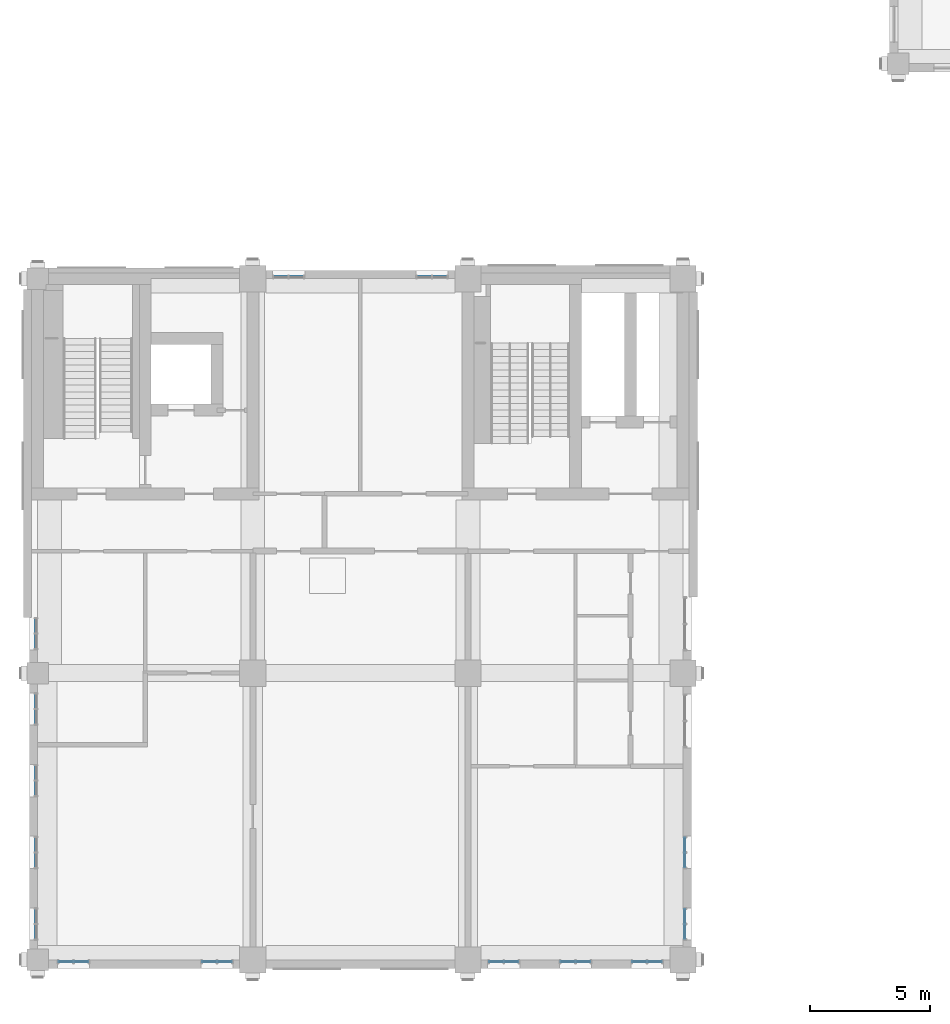
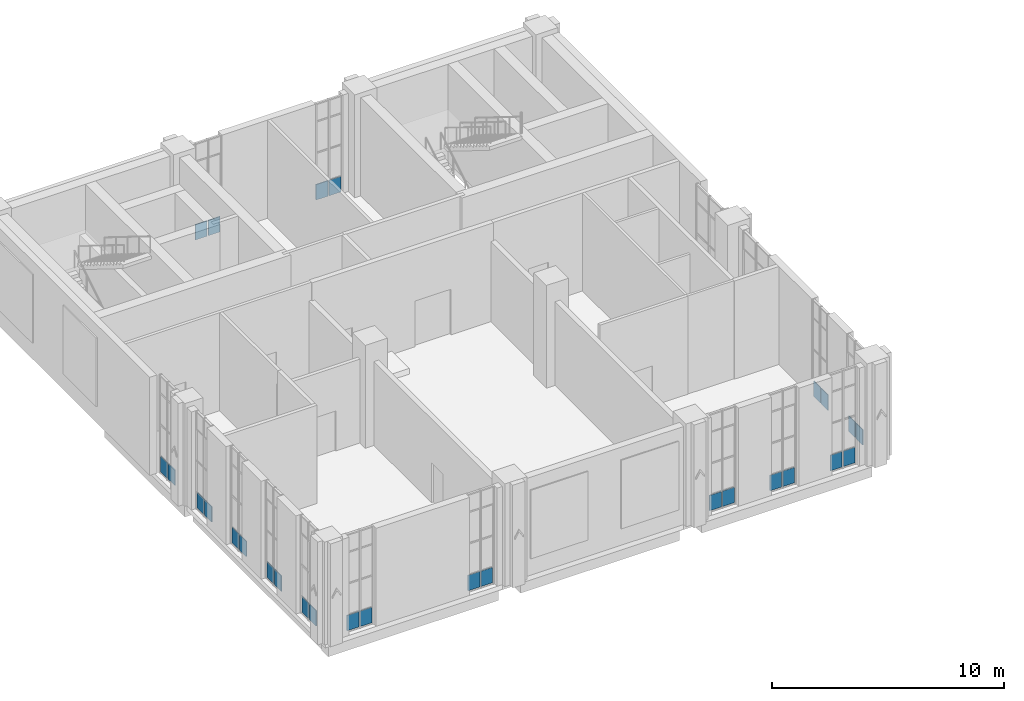
# One storey, part 23 of 39: 28 plates, 14 elements without a shape of their own.
"""IFC4 building model written with IfcOpenShell, lengths in metres."""

from ifc_helpers import new_model, si_unit, direction, frame, origin, origin_2d, place, context, subcontext, project, spatial, rectangle, extrude, material, layer, layer_set, type_object, element, aggregate, save


model = new_model("IFC4")

# Units and contexts
model_context = context("Model", 3, precision=1e-05, world=origin(), true_north=direction((0.0, 1.0)))
body_context = subcontext(model_context, "Body", "Model", "MODEL_VIEW")
ifc_project = project(units=[si_unit("LENGTHUNIT", "METRE"), si_unit("AREAUNIT", "SQUARE_METRE"), si_unit("VOLUMEUNIT", "CUBIC_METRE"), si_unit("PLANEANGLEUNIT", "RADIAN"), si_unit("MASSUNIT", "GRAM", prefix="KILO")], contexts=[model_context])

# Site, building, storey
site_placement = place(None, origin())
site = spatial("IfcSite", under=ifc_project, at=site_placement, CompositionType="ELEMENT")
building_placement = place(site_placement, origin())
building = spatial("IfcBuilding", under=site, at=building_placement, Name="Aurelan Courthouse", CompositionType="ELEMENT")
storey_placement = place(building_placement, frame((0.0, 0.0, 28.199951171875)))
storey = spatial("IfcBuildingStorey", under=building, at=storey_placement, Name="L05", CompositionType="ELEMENT", Elevation=28.199951171875)

# Curtain wall, plates
ifc_material_1 = material(Name="Bronze-finished aluminium and glass", Category="aluminium")
ifc_layer_1 = layer(ifc_material_1, 0.14990234375)
ifc_layer_set_1 = layer_set([ifc_layer_1], Name="Bronze-finished aluminium and glass")
curtain_wall_type = type_object("IfcCurtainWallType", Name="Curtain wall 1350 x 5150", PredefinedType="NOTDEFINED", material=ifc_layer_set_1)
curtain_wall_1_placement = place(storey_placement, origin())
curtain_wall_1 = element("IfcCurtainWall", 1, at=curtain_wall_1_placement, inside=storey, type_object=curtain_wall_type, Name="Curtain wall CW-V5-L05-S01", PredefinedType="NOTDEFINED")
ifc_material_2 = material(Name="Bronze-finished aluminium", Category="aluminium")
ifc_layer_2 = layer(ifc_material_2, 0.0400390625)
ifc_layer_set_2 = layer_set([ifc_layer_2], Name="Bronze-finished aluminium")
plate_type = type_object("IfcPlateType", Name="Sill panel 40", PredefinedType="CURTAIN_PANEL", material=ifc_layer_set_2)
plate_1_placement = place(storey_placement, frame((1.177490234375, -0.074951171875, 0.06005859375), z_axis=(0.0, 0.0, 1.0), x_axis=(1.0, 0.0, 0.0)))
plate_1 = element("IfcPlate", 2, at=plate_1_placement, type_object=plate_type, Name="CW-V5-L05-S01 sill panel 1.1", PredefinedType="CURTAIN_PANEL", context=body_context, shape_type="SweptSolid", body=[
    extrude(rectangle(XDim=0.5849609375, YDim=0.0400390625, at=origin_2d()), origin(), (0.0, 0.0, 1.0), 0.81005859375),
])
plate_2_placement = place(storey_placement, frame((1.822509765625, -0.074951171875, 0.06005859375), z_axis=(0.0, 0.0, 1.0), x_axis=(1.0, 0.0, 0.0)))
plate_2 = element("IfcPlate", 3, at=plate_2_placement, type_object=plate_type, Name="CW-V5-L05-S01 sill panel 2.1", PredefinedType="CURTAIN_PANEL", context=body_context, shape_type="SweptSolid", body=[
    extrude(rectangle(XDim=0.5849609375, YDim=0.0400390625, at=origin_2d()), origin(), (0.0, 0.0, 1.0), 0.81005859375),
])
aggregate(curtain_wall_1, [plate_1, plate_2])

curtain_wall_2_placement = place(storey_placement, origin())
curtain_wall_2 = element("IfcCurtainWall", 4, at=curtain_wall_2_placement, inside=storey, type_object=curtain_wall_type, Name="Curtain wall CW-V5-L05-S02", PredefinedType="NOTDEFINED")
plate_3_placement = place(storey_placement, frame((7.177490234375, -0.074951171875, 0.06005859375), z_axis=(0.0, 0.0, 1.0), x_axis=(1.0, 0.0, 0.0)))
plate_3 = element("IfcPlate", 5, at=plate_3_placement, type_object=plate_type, Name="CW-V5-L05-S02 sill panel 1.1", PredefinedType="CURTAIN_PANEL", context=body_context, shape_type="SweptSolid", body=[
    extrude(rectangle(XDim=0.5849609375, YDim=0.0400390625, at=origin_2d()), origin(), (0.0, 0.0, 1.0), 0.81005859375),
])
plate_4_placement = place(storey_placement, frame((7.822509765625, -0.074951171875, 0.06005859375), z_axis=(0.0, 0.0, 1.0), x_axis=(1.0, 0.0, 0.0)))
plate_4 = element("IfcPlate", 6, at=plate_4_placement, type_object=plate_type, Name="CW-V5-L05-S02 sill panel 2.1", PredefinedType="CURTAIN_PANEL", context=body_context, shape_type="SweptSolid", body=[
    extrude(rectangle(XDim=0.5849609375, YDim=0.0400390625, at=origin_2d()), origin(), (0.0, 0.0, 1.0), 0.81005859375),
])
aggregate(curtain_wall_2, [plate_3, plate_4])

curtain_wall_3_placement = place(storey_placement, origin())
curtain_wall_3 = element("IfcCurtainWall", 7, at=curtain_wall_3_placement, inside=storey, type_object=curtain_wall_type, Name="Curtain wall CW-V5-L05-S03", PredefinedType="NOTDEFINED")
plate_5_placement = place(storey_placement, frame((19.177490234375, -0.074951171875, 0.06005859375), z_axis=(0.0, 0.0, 1.0), x_axis=(1.0, 0.0, 0.0)))
plate_5 = element("IfcPlate", 8, at=plate_5_placement, type_object=plate_type, Name="CW-V5-L05-S03 sill panel 1.1", PredefinedType="CURTAIN_PANEL", context=body_context, shape_type="SweptSolid", body=[
    extrude(rectangle(XDim=0.5849609375, YDim=0.0400390625, at=origin_2d()), origin(), (0.0, 0.0, 1.0), 0.81005859375),
])
plate_6_placement = place(storey_placement, frame((19.822509765625, -0.074951171875, 0.06005859375), z_axis=(0.0, 0.0, 1.0), x_axis=(1.0, 0.0, 0.0)))
plate_6 = element("IfcPlate", 9, at=plate_6_placement, type_object=plate_type, Name="CW-V5-L05-S03 sill panel 2.1", PredefinedType="CURTAIN_PANEL", context=body_context, shape_type="SweptSolid", body=[
    extrude(rectangle(XDim=0.5849609375, YDim=0.0400390625, at=origin_2d()), origin(), (0.0, 0.0, 1.0), 0.81005859375),
])
aggregate(curtain_wall_3, [plate_5, plate_6])

curtain_wall_4_placement = place(storey_placement, origin())
curtain_wall_4 = element("IfcCurtainWall", 10, at=curtain_wall_4_placement, inside=storey, type_object=curtain_wall_type, Name="Curtain wall CW-V5-L05-S04", PredefinedType="NOTDEFINED")
plate_7_placement = place(storey_placement, frame((22.177490234375, -0.074951171875, 0.06005859375), z_axis=(0.0, 0.0, 1.0), x_axis=(1.0, 0.0, 0.0)))
plate_7 = element("IfcPlate", 11, at=plate_7_placement, type_object=plate_type, Name="CW-V5-L05-S04 sill panel 1.1", PredefinedType="CURTAIN_PANEL", context=body_context, shape_type="SweptSolid", body=[
    extrude(rectangle(XDim=0.5849609375, YDim=0.0400390625, at=origin_2d()), origin(), (0.0, 0.0, 1.0), 0.81005859375),
])
plate_8_placement = place(storey_placement, frame((22.822509765625, -0.074951171875, 0.06005859375), z_axis=(0.0, 0.0, 1.0), x_axis=(1.0, 0.0, 0.0)))
plate_8 = element("IfcPlate", 12, at=plate_8_placement, type_object=plate_type, Name="CW-V5-L05-S04 sill panel 2.1", PredefinedType="CURTAIN_PANEL", context=body_context, shape_type="SweptSolid", body=[
    extrude(rectangle(XDim=0.5849609375, YDim=0.0400390625, at=origin_2d()), origin(), (0.0, 0.0, 1.0), 0.81005859375),
])
aggregate(curtain_wall_4, [plate_7, plate_8])

curtain_wall_5_placement = place(storey_placement, origin())
curtain_wall_5 = element("IfcCurtainWall", 13, at=curtain_wall_5_placement, inside=storey, type_object=curtain_wall_type, Name="Curtain wall CW-V5-L05-S05", PredefinedType="NOTDEFINED")
plate_9_placement = place(storey_placement, frame((25.177490234375, -0.074951171875, 0.06005859375), z_axis=(0.0, 0.0, 1.0), x_axis=(1.0, 0.0, 0.0)))
plate_9 = element("IfcPlate", 14, at=plate_9_placement, type_object=plate_type, Name="CW-V5-L05-S05 sill panel 1.1", PredefinedType="CURTAIN_PANEL", context=body_context, shape_type="SweptSolid", body=[
    extrude(rectangle(XDim=0.5849609375, YDim=0.0400390625, at=origin_2d()), origin(), (0.0, 0.0, 1.0), 0.81005859375),
])
plate_10_placement = place(storey_placement, frame((25.822509765625, -0.074951171875, 0.06005859375), z_axis=(0.0, 0.0, 1.0), x_axis=(1.0, 0.0, 0.0)))
plate_10 = element("IfcPlate", 15, at=plate_10_placement, type_object=plate_type, Name="CW-V5-L05-S05 sill panel 2.1", PredefinedType="CURTAIN_PANEL", context=body_context, shape_type="SweptSolid", body=[
    extrude(rectangle(XDim=0.5849609375, YDim=0.0400390625, at=origin_2d()), origin(), (0.0, 0.0, 1.0), 0.81005859375),
])
aggregate(curtain_wall_5, [plate_9, plate_10])

curtain_wall_6_placement = place(storey_placement, origin())
curtain_wall_6 = element("IfcCurtainWall", 16, at=curtain_wall_6_placement, inside=storey, type_object=curtain_wall_type, Name="Curtain wall CW-V5-L05-N01", PredefinedType="NOTDEFINED")
plate_11_placement = place(storey_placement, frame((10.177490234375, 28.574951171875, 0.06005859375), z_axis=(0.0, 0.0, 1.0), x_axis=(1.0, 0.0, 0.0)))
plate_11 = element("IfcPlate", 17, at=plate_11_placement, type_object=plate_type, Name="CW-V5-L05-N01 sill panel 1.1", PredefinedType="CURTAIN_PANEL", context=body_context, shape_type="SweptSolid", body=[
    extrude(rectangle(XDim=0.5849609375, YDim=0.0400390625, at=origin_2d()), origin(), (0.0, 0.0, 1.0), 0.81005859375),
])
plate_12_placement = place(storey_placement, frame((10.822509765625, 28.574951171875, 0.06005859375), z_axis=(0.0, 0.0, 1.0), x_axis=(1.0, 0.0, 0.0)))
plate_12 = element("IfcPlate", 18, at=plate_12_placement, type_object=plate_type, Name="CW-V5-L05-N01 sill panel 2.1", PredefinedType="CURTAIN_PANEL", context=body_context, shape_type="SweptSolid", body=[
    extrude(rectangle(XDim=0.5849609375, YDim=0.0400390625, at=origin_2d()), origin(), (0.0, 0.0, 1.0), 0.81005859375),
])
aggregate(curtain_wall_6, [plate_11, plate_12])

curtain_wall_7_placement = place(storey_placement, origin())
curtain_wall_7 = element("IfcCurtainWall", 19, at=curtain_wall_7_placement, inside=storey, type_object=curtain_wall_type, Name="Curtain wall CW-V5-L05-N02", PredefinedType="NOTDEFINED")
plate_13_placement = place(storey_placement, frame((16.177490234375, 28.574951171875, 0.06005859375), z_axis=(0.0, 0.0, 1.0), x_axis=(1.0, 0.0, 0.0)))
plate_13 = element("IfcPlate", 20, at=plate_13_placement, type_object=plate_type, Name="CW-V5-L05-N02 sill panel 1.1", PredefinedType="CURTAIN_PANEL", context=body_context, shape_type="SweptSolid", body=[
    extrude(rectangle(XDim=0.5849609375, YDim=0.0400390625, at=origin_2d()), origin(), (0.0, 0.0, 1.0), 0.81005859375),
])
plate_14_placement = place(storey_placement, frame((16.822509765625, 28.574951171875, 0.06005859375), z_axis=(0.0, 0.0, 1.0), x_axis=(1.0, 0.0, 0.0)))
plate_14 = element("IfcPlate", 21, at=plate_14_placement, type_object=plate_type, Name="CW-V5-L05-N02 sill panel 2.1", PredefinedType="CURTAIN_PANEL", context=body_context, shape_type="SweptSolid", body=[
    extrude(rectangle(XDim=0.5849609375, YDim=0.0400390625, at=origin_2d()), origin(), (0.0, 0.0, 1.0), 0.81005859375),
])
aggregate(curtain_wall_7, [plate_13, plate_14])

curtain_wall_8_placement = place(storey_placement, origin())
curtain_wall_8 = element("IfcCurtainWall", 22, at=curtain_wall_8_placement, inside=storey, type_object=curtain_wall_type, Name="Curtain wall CW-V5-L05-E01", PredefinedType="NOTDEFINED")
plate_15_placement = place(storey_placement, frame((27.074951171875, 1.177490234375, 0.06005859375), z_axis=(0.0, 0.0, 1.0), x_axis=(0.0, 1.0, 0.0)))
plate_15 = element("IfcPlate", 23, at=plate_15_placement, type_object=plate_type, Name="CW-V5-L05-E01 sill panel 1.1", PredefinedType="CURTAIN_PANEL", context=body_context, shape_type="SweptSolid", body=[
    extrude(rectangle(XDim=0.5849609375, YDim=0.0400390625, at=origin_2d()), origin(), (0.0, 0.0, 1.0), 0.81005859375),
])
plate_16_placement = place(storey_placement, frame((27.074951171875, 1.822509765625, 0.06005859375), z_axis=(0.0, 0.0, 1.0), x_axis=(0.0, 1.0, 0.0)))
plate_16 = element("IfcPlate", 24, at=plate_16_placement, type_object=plate_type, Name="CW-V5-L05-E01 sill panel 2.1", PredefinedType="CURTAIN_PANEL", context=body_context, shape_type="SweptSolid", body=[
    extrude(rectangle(XDim=0.5849609375, YDim=0.0400390625, at=origin_2d()), origin(), (0.0, 0.0, 1.0), 0.81005859375),
])
aggregate(curtain_wall_8, [plate_15, plate_16])

curtain_wall_9_placement = place(storey_placement, origin())
curtain_wall_9 = element("IfcCurtainWall", 25, at=curtain_wall_9_placement, inside=storey, type_object=curtain_wall_type, Name="Curtain wall CW-V5-L05-E02", PredefinedType="NOTDEFINED")
plate_17_placement = place(storey_placement, frame((27.074951171875, 4.177490234375, 0.06005859375), z_axis=(0.0, 0.0, 1.0), x_axis=(0.0, 1.0, 0.0)))
plate_17 = element("IfcPlate", 26, at=plate_17_placement, type_object=plate_type, Name="CW-V5-L05-E02 sill panel 1.1", PredefinedType="CURTAIN_PANEL", context=body_context, shape_type="SweptSolid", body=[
    extrude(rectangle(XDim=0.5849609375, YDim=0.0400390625, at=origin_2d()), origin(), (0.0, 0.0, 1.0), 0.81005859375),
])
plate_18_placement = place(storey_placement, frame((27.074951171875, 4.822509765625, 0.06005859375), z_axis=(0.0, 0.0, 1.0), x_axis=(0.0, 1.0, 0.0)))
plate_18 = element("IfcPlate", 27, at=plate_18_placement, type_object=plate_type, Name="CW-V5-L05-E02 sill panel 2.1", PredefinedType="CURTAIN_PANEL", context=body_context, shape_type="SweptSolid", body=[
    extrude(rectangle(XDim=0.5849609375, YDim=0.0400390625, at=origin_2d()), origin(), (0.0, 0.0, 1.0), 0.81005859375),
])
aggregate(curtain_wall_9, [plate_17, plate_18])

curtain_wall_10_placement = place(storey_placement, origin())
curtain_wall_10 = element("IfcCurtainWall", 28, at=curtain_wall_10_placement, inside=storey, type_object=curtain_wall_type, Name="Curtain wall CW-V5-L05-W01", PredefinedType="NOTDEFINED")
plate_19_placement = place(storey_placement, frame((-0.074951171875, 1.177490234375, 0.06005859375), z_axis=(0.0, 0.0, 1.0), x_axis=(0.0, 1.0, 0.0)))
plate_19 = element("IfcPlate", 29, at=plate_19_placement, type_object=plate_type, Name="CW-V5-L05-W01 sill panel 1.1", PredefinedType="CURTAIN_PANEL", context=body_context, shape_type="SweptSolid", body=[
    extrude(rectangle(XDim=0.5849609375, YDim=0.0400390625, at=origin_2d()), origin(), (0.0, 0.0, 1.0), 0.81005859375),
])
plate_20_placement = place(storey_placement, frame((-0.074951171875, 1.822509765625, 0.06005859375), z_axis=(0.0, 0.0, 1.0), x_axis=(0.0, 1.0, 0.0)))
plate_20 = element("IfcPlate", 30, at=plate_20_placement, type_object=plate_type, Name="CW-V5-L05-W01 sill panel 2.1", PredefinedType="CURTAIN_PANEL", context=body_context, shape_type="SweptSolid", body=[
    extrude(rectangle(XDim=0.5849609375, YDim=0.0400390625, at=origin_2d()), origin(), (0.0, 0.0, 1.0), 0.81005859375),
])
aggregate(curtain_wall_10, [plate_19, plate_20])

curtain_wall_11_placement = place(storey_placement, origin())
curtain_wall_11 = element("IfcCurtainWall", 31, at=curtain_wall_11_placement, inside=storey, type_object=curtain_wall_type, Name="Curtain wall CW-V5-L05-W02", PredefinedType="NOTDEFINED")
plate_21_placement = place(storey_placement, frame((-0.074951171875, 4.177490234375, 0.06005859375), z_axis=(0.0, 0.0, 1.0), x_axis=(0.0, 1.0, 0.0)))
plate_21 = element("IfcPlate", 32, at=plate_21_placement, type_object=plate_type, Name="CW-V5-L05-W02 sill panel 1.1", PredefinedType="CURTAIN_PANEL", context=body_context, shape_type="SweptSolid", body=[
    extrude(rectangle(XDim=0.5849609375, YDim=0.0400390625, at=origin_2d()), origin(), (0.0, 0.0, 1.0), 0.81005859375),
])
plate_22_placement = place(storey_placement, frame((-0.074951171875, 4.822509765625, 0.06005859375), z_axis=(0.0, 0.0, 1.0), x_axis=(0.0, 1.0, 0.0)))
plate_22 = element("IfcPlate", 33, at=plate_22_placement, type_object=plate_type, Name="CW-V5-L05-W02 sill panel 2.1", PredefinedType="CURTAIN_PANEL", context=body_context, shape_type="SweptSolid", body=[
    extrude(rectangle(XDim=0.5849609375, YDim=0.0400390625, at=origin_2d()), origin(), (0.0, 0.0, 1.0), 0.81005859375),
])
aggregate(curtain_wall_11, [plate_21, plate_22])

curtain_wall_12_placement = place(storey_placement, origin())
curtain_wall_12 = element("IfcCurtainWall", 34, at=curtain_wall_12_placement, inside=storey, type_object=curtain_wall_type, Name="Curtain wall CW-V5-L05-W03", PredefinedType="NOTDEFINED")
plate_23_placement = place(storey_placement, frame((-0.074951171875, 7.177490234375, 0.06005859375), z_axis=(0.0, 0.0, 1.0), x_axis=(0.0, 1.0, 0.0)))
plate_23 = element("IfcPlate", 35, at=plate_23_placement, type_object=plate_type, Name="CW-V5-L05-W03 sill panel 1.1", PredefinedType="CURTAIN_PANEL", context=body_context, shape_type="SweptSolid", body=[
    extrude(rectangle(XDim=0.5849609375, YDim=0.0400390625, at=origin_2d()), origin(), (0.0, 0.0, 1.0), 0.81005859375),
])
plate_24_placement = place(storey_placement, frame((-0.074951171875, 7.822509765625, 0.06005859375), z_axis=(0.0, 0.0, 1.0), x_axis=(0.0, 1.0, 0.0)))
plate_24 = element("IfcPlate", 36, at=plate_24_placement, type_object=plate_type, Name="CW-V5-L05-W03 sill panel 2.1", PredefinedType="CURTAIN_PANEL", context=body_context, shape_type="SweptSolid", body=[
    extrude(rectangle(XDim=0.5849609375, YDim=0.0400390625, at=origin_2d()), origin(), (0.0, 0.0, 1.0), 0.81005859375),
])
aggregate(curtain_wall_12, [plate_23, plate_24])

curtain_wall_13_placement = place(storey_placement, origin())
curtain_wall_13 = element("IfcCurtainWall", 37, at=curtain_wall_13_placement, inside=storey, type_object=curtain_wall_type, Name="Curtain wall CW-V5-L05-W04", PredefinedType="NOTDEFINED")
plate_25_placement = place(storey_placement, frame((-0.074951171875, 10.177490234375, 0.06005859375), z_axis=(0.0, 0.0, 1.0), x_axis=(0.0, 1.0, 0.0)))
plate_25 = element("IfcPlate", 38, at=plate_25_placement, type_object=plate_type, Name="CW-V5-L05-W04 sill panel 1.1", PredefinedType="CURTAIN_PANEL", context=body_context, shape_type="SweptSolid", body=[
    extrude(rectangle(XDim=0.5849609375, YDim=0.0400390625, at=origin_2d()), origin(), (0.0, 0.0, 1.0), 0.81005859375),
])
plate_26_placement = place(storey_placement, frame((-0.074951171875, 10.822509765625, 0.06005859375), z_axis=(0.0, 0.0, 1.0), x_axis=(0.0, 1.0, 0.0)))
plate_26 = element("IfcPlate", 39, at=plate_26_placement, type_object=plate_type, Name="CW-V5-L05-W04 sill panel 2.1", PredefinedType="CURTAIN_PANEL", context=body_context, shape_type="SweptSolid", body=[
    extrude(rectangle(XDim=0.5849609375, YDim=0.0400390625, at=origin_2d()), origin(), (0.0, 0.0, 1.0), 0.81005859375),
])
aggregate(curtain_wall_13, [plate_25, plate_26])

curtain_wall_14_placement = place(storey_placement, origin())
curtain_wall_14 = element("IfcCurtainWall", 40, at=curtain_wall_14_placement, inside=storey, type_object=curtain_wall_type, Name="Curtain wall CW-V5-L05-W05", PredefinedType="NOTDEFINED")
plate_27_placement = place(storey_placement, frame((-0.074951171875, 13.327392578125, 0.06005859375), z_axis=(0.0, 0.0, 1.0), x_axis=(0.0, 1.0, 0.0)))
plate_27 = element("IfcPlate", 41, at=plate_27_placement, type_object=plate_type, Name="CW-V5-L05-W05 sill panel 1.1", PredefinedType="CURTAIN_PANEL", context=body_context, shape_type="SweptSolid", body=[
    extrude(rectangle(XDim=0.5849609375, YDim=0.0400390625, at=origin_2d()), origin(), (0.0, 0.0, 1.0), 0.81005859375),
])
plate_28_placement = place(storey_placement, frame((-0.074951171875, 13.972412109375, 0.06005859375), z_axis=(0.0, 0.0, 1.0), x_axis=(0.0, 1.0, 0.0)))
plate_28 = element("IfcPlate", 42, at=plate_28_placement, type_object=plate_type, Name="CW-V5-L05-W05 sill panel 2.1", PredefinedType="CURTAIN_PANEL", context=body_context, shape_type="SweptSolid", body=[
    extrude(rectangle(XDim=0.5849609375, YDim=0.0400390625, at=origin_2d()), origin(), (0.0, 0.0, 1.0), 0.81005859375),
])
aggregate(curtain_wall_14, [plate_27, plate_28])

save(model, "model.ifc")
